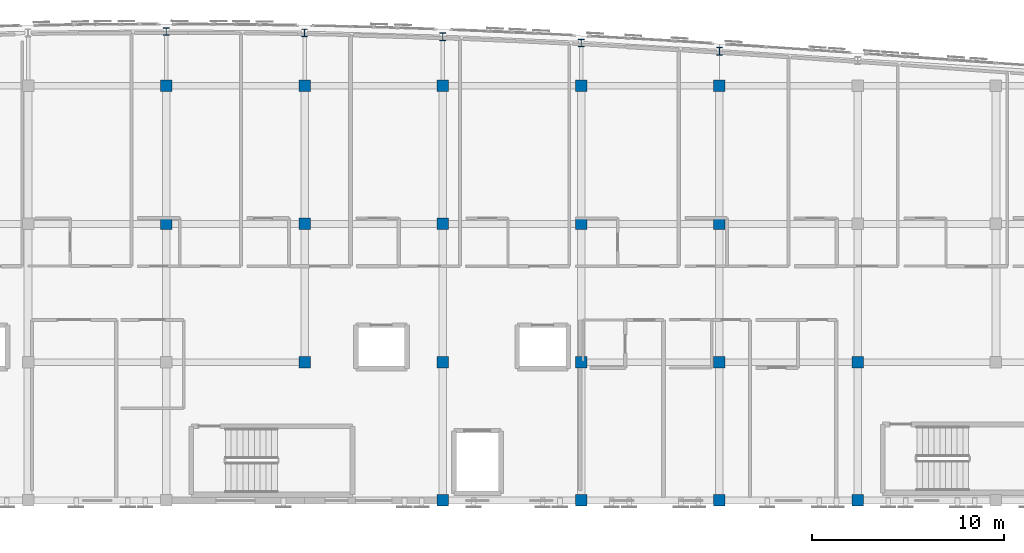
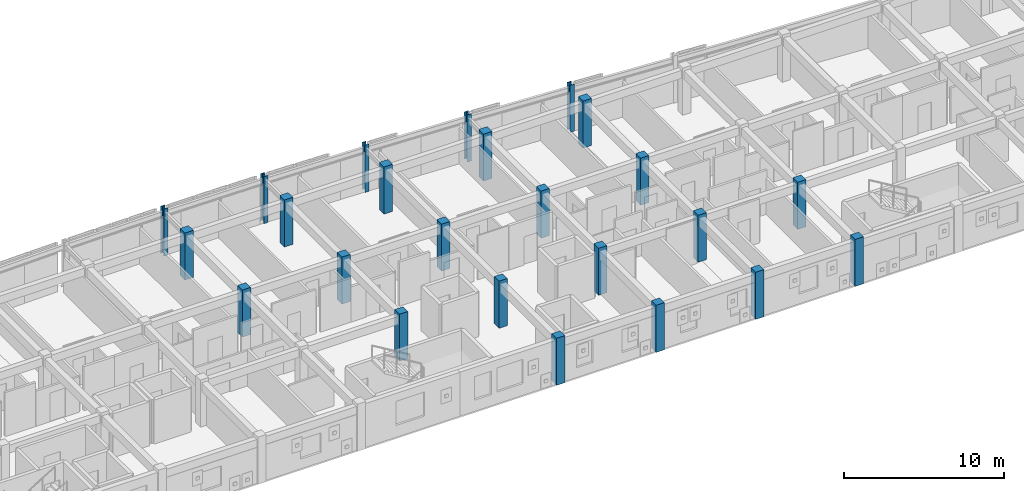
# One storey, part 3 of 51: 24 columns.
"""IFC4 building model written with IfcOpenShell, lengths in metres."""

from ifc_helpers import new_model, si_unit, direction, frame, origin, origin_2d, place, context, subcontext, project, spatial, rectangle, i_section, extrude, material, material_profile, profile_set, type_object, element, save


model = new_model("IFC4")

# Units and contexts
model_context = context("Model", 3, precision=1e-05, world=origin(), true_north=direction((0.0, 1.0)))
body_context = subcontext(model_context, "Body", "Model", "MODEL_VIEW")
ifc_project = project(units=[si_unit("LENGTHUNIT", "METRE"), si_unit("AREAUNIT", "SQUARE_METRE"), si_unit("VOLUMEUNIT", "CUBIC_METRE"), si_unit("PLANEANGLEUNIT", "RADIAN"), si_unit("MASSUNIT", "GRAM", prefix="KILO")], contexts=[model_context])

# Site, building, storey
site_placement = place(None, origin())
site = spatial("IfcSite", under=ifc_project, at=site_placement, CompositionType="ELEMENT")
building_placement = place(site_placement, origin())
building = spatial("IfcBuilding", under=site, at=building_placement, Name="Carrowvane Square Congress Hotel", CompositionType="ELEMENT")
storey_placement = place(building_placement, frame((0.0, 0.0, 30.0)))
storey = spatial("IfcBuildingStorey", under=building, at=storey_placement, Name="L07", CompositionType="ELEMENT", Elevation=30.0)

# Columns
ifc_material_1 = material(Name="Concrete C40/50", Category="concrete")
ifc_material_profile_1 = material_profile(ifc_material_1, rectangle(XDim=0.60009765625, YDim=0.60009765625, at=origin_2d()), Name="RC 600x600")
ifc_profile_set_1 = profile_set([ifc_material_profile_1], Name="Concrete C40/50")
column_type_1 = type_object("IfcColumnType", Name="COL-RC-600", PredefinedType="COLUMN", material=ifc_profile_set_1)
for number, where, z_axis, x_axis, name in (
    (1, (98.0, 106.199951171875, 0.0), (0.0, 0.0, 1.0), (1.0, 0.0, 0.0), "L07 column 13/Q"),
    (2, (98.0, 113.39990234375, 0.0), (0.0, 0.0, 1.0), (1.0, 0.0, 0.0), "L07 column 13/R"),
    (3, (105.199951171875, 99.0, 0.0), (0.0, 0.0, 1.0), (1.0, 0.0, 0.0), "L07 column 14/P"),
    (4, (105.199951171875, 106.199951171875, 0.0), (0.0, 0.0, 1.0), (1.0, 0.0, 0.0), "L07 column 14/Q"),
    (5, (105.199951171875, 113.39990234375, 0.0), (0.0, 0.0, 1.0), (1.0, 0.0, 0.0), "L07 column 14/R"),
    (6, (112.39990234375, 91.800048828125, 0.0), (0.0, 0.0, 1.0), (1.0, 0.0, 0.0), "L07 column 15/N"),
    (7, (112.39990234375, 99.0, 0.0), (0.0, 0.0, 1.0), (1.0, 0.0, 0.0), "L07 column 15/P"),
    (8, (112.39990234375, 106.199951171875, 0.0), (0.0, 0.0, 1.0), (1.0, 0.0, 0.0), "L07 column 15/Q"),
    (9, (112.39990234375, 113.39990234375, 0.0), (0.0, 0.0, 1.0), (1.0, 0.0, 0.0), "L07 column 15/R"),
    (10, (119.60009765625, 91.800048828125, 0.0), (0.0, 0.0, 1.0), (1.0, 0.0, 0.0), "L07 column 16/N"),
    (11, (119.60009765625, 99.0, 0.0), (0.0, 0.0, 1.0), (1.0, 0.0, 0.0), "L07 column 16/P"),
    (12, (119.60009765625, 106.199951171875, 0.0), (0.0, 0.0, 1.0), (1.0, 0.0, 0.0), "L07 column 16/Q"),
    (13, (119.60009765625, 113.39990234375, 0.0), (0.0, 0.0, 1.0), (1.0, 0.0, 0.0), "L07 column 16/R"),
    (14, (126.800048828125, 91.800048828125, 0.0), (0.0, 0.0, 1.0), (1.0, 0.0, 0.0), "L07 column 17/N"),
    (15, (126.800048828125, 99.0, 0.0), (0.0, 0.0, 1.0), (1.0, 0.0, 0.0), "L07 column 17/P"),
    (16, (126.800048828125, 106.199951171875, 0.0), (0.0, 0.0, 1.0), (1.0, 0.0, 0.0), "L07 column 17/Q"),
    (17, (126.800048828125, 113.39990234375, 0.0), (0.0, 0.0, 1.0), (1.0, 0.0, 0.0), "L07 column 17/R"),
    (18, (134.0, 91.800048828125, 0.0), (0.0, 0.0, 1.0), (1.0, 0.0, 0.0), "L07 column 18/N"),
    (19, (134.0, 99.0, 0.0), (0.0, 0.0, 1.0), (1.0, 0.0, 0.0), "L07 column 18/P"),
):
    element("IfcColumn", number, at=place(storey_placement, frame(where, z_axis=z_axis, x_axis=x_axis)), inside=storey, type_object=column_type_1, Name=name, PredefinedType="COLUMN", context=body_context, shape_type="SweptSolid", body=[
        extrude(rectangle(XDim=0.60009765625, YDim=0.60009765625, at=origin_2d()), origin(), (0.0, 0.0, 1.0), 3.60009765625),
    ])
ifc_material_2 = material(Name="Steel S355", Category="steel")
ifc_material_profile_2 = material_profile(ifc_material_2, i_section(OverallWidth=0.300048828125, OverallDepth=0.39990234375, WebThickness=0.013427734375, FlangeThickness=0.02392578125, FilletRadius=0.027099609375, at=origin_2d()), Name="HEB 400")
ifc_profile_set_2 = profile_set([ifc_material_profile_2], Name="Steel S355")
column_type_2 = type_object("IfcColumnType", Name="COL-ST-HEB400", PredefinedType="COLUMN", material=ifc_profile_set_2)
for number, where, z_axis, x_axis, name in (
    (20, (98.0, 116.219970703125, 0.0), (0.0, 0.0, 1.0), (1.0, 0.0, 0.0), "L07 column 13/ARC"),
    (21, (105.199951171875, 116.14990234375, 0.0), (0.0, 0.0, 1.0), (1.0, 0.0, 0.0), "L07 column 14/ARC"),
    (22, (112.39990234375, 115.944091796875, 0.0), (0.0, 0.0, 1.0), (1.0, 0.0, 0.0), "L07 column 15/ARC"),
    (23, (119.60009765625, 115.61767578125, 0.0), (0.0, 0.0, 1.0), (1.0, 0.0, 0.0), "L07 column 16/ARC"),
    (24, (126.800048828125, 115.1943359375, 0.0), (0.0, 0.0, 1.0), (1.0, 0.0, 0.0), "L07 column 17/ARC"),
):
    element("IfcColumn", number, at=place(storey_placement, frame(where, z_axis=z_axis, x_axis=x_axis)), inside=storey, type_object=column_type_2, Name=name, PredefinedType="COLUMN", context=body_context, shape_type="SweptSolid", body=[
        extrude(i_section(OverallWidth=0.300048828125, OverallDepth=0.39990234375, WebThickness=0.013427734375, FlangeThickness=0.02392578125, FilletRadius=0.027099609375, at=origin_2d()), origin(), (0.0, 0.0, 1.0), 3.60009765625),
    ])

save(model, "model.ifc")
